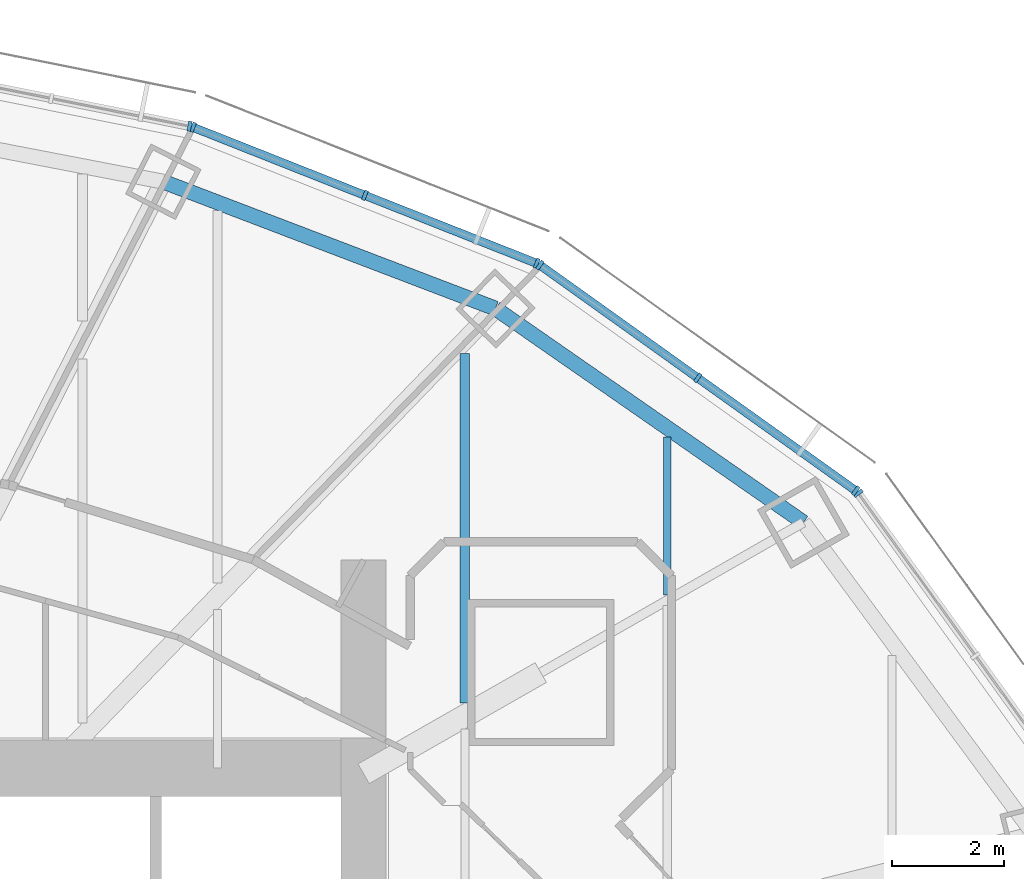
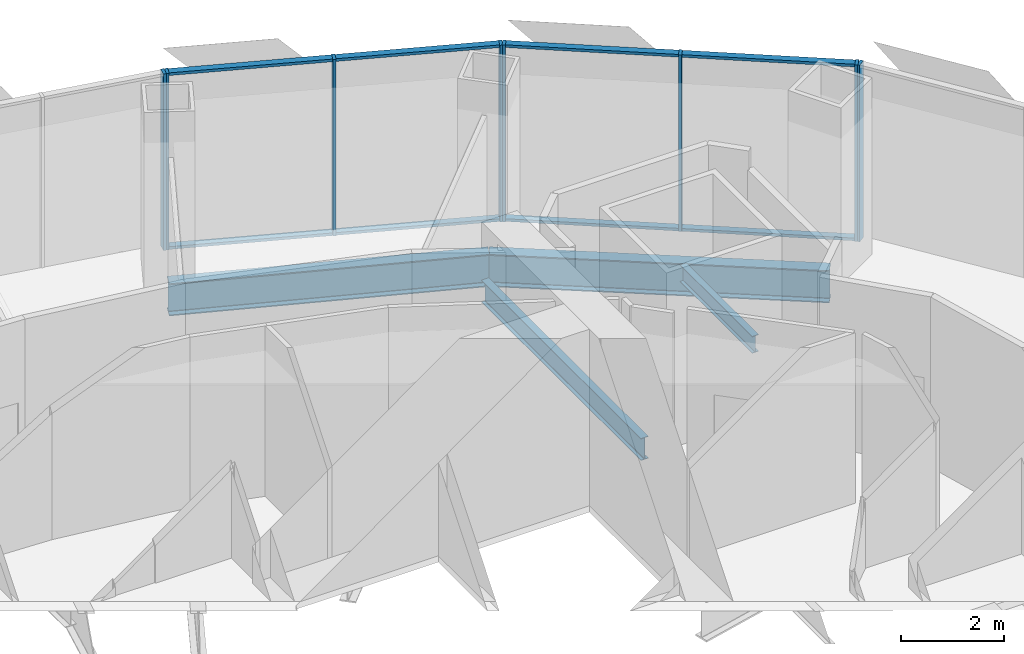
# One storey, part 9 of 19: 16 members, 4 beams, 4 elements without a shape of their own.
"""IFC4 building model written with IfcOpenShell, lengths in metres."""

from ifc_helpers import new_model, si_unit, direction, frame, origin, origin_2d, place, context, subcontext, project, spatial, rectangle, i_section, extrude, material, material_profile, profile_set, type_object, element, aggregate, save


model = new_model("IFC4")

# Units and contexts
model_context = context("Model", 3, precision=1e-05, world=origin(), true_north=direction((0.0, 1.0)))
body_context = subcontext(model_context, "Body", "Model", "MODEL_VIEW")
ifc_project = project(units=[si_unit("LENGTHUNIT", "METRE"), si_unit("AREAUNIT", "SQUARE_METRE"), si_unit("VOLUMEUNIT", "CUBIC_METRE"), si_unit("PLANEANGLEUNIT", "RADIAN"), si_unit("MASSUNIT", "GRAM", prefix="KILO")], contexts=[model_context])

# Site, building, storey
site_placement = place(None, origin())
site = spatial("IfcSite", under=ifc_project, at=site_placement, CompositionType="ELEMENT")
building_placement = place(site_placement, origin())
building = spatial("IfcBuilding", under=site, at=building_placement, Name="Lantaw Convention Tower", CompositionType="ELEMENT")
storey_placement = place(building_placement, frame((0.0, 0.0, 249.39990234375)))
storey = spatial("IfcBuildingStorey", under=building, at=storey_placement, Name="L58", CompositionType="ELEMENT", Elevation=249.39990234375)

# Beams
ifc_material_1 = material(Name="Steel ASTM A992", Category="steel")
ifc_material_profile_1 = material_profile(ifc_material_1, i_section(OverallWidth=0.2666015625, OverallDepth=0.76953125, WebThickness=0.015625, FlangeThickness=0.025390625, FilletRadius=0.0126953125, at=origin_2d()), Name="W30X132")
ifc_profile_set_1 = profile_set([ifc_material_profile_1], Name="Steel ASTM A992")
beam_type_1 = type_object("IfcBeamType", Name="Beam E W30X132", PredefinedType="SPANDREL", material=ifc_profile_set_1)
beam_1_placement = place(storey_placement, frame((20.423095703125, 11.67041015625, -0.53466796875), z_axis=(-0.82135329406, 0.570419815869, 0.0), x_axis=(-0.570419815869, -0.82135329406, 0.0)))
element("IfcBeam", 1, at=beam_1_placement, inside=storey, type_object=beam_type_1, Name="Edge beam 3", PredefinedType="SPANDREL", context=body_context, shape_type="SweptSolid", body=[
    extrude(i_section(OverallWidth=0.2666015625, OverallDepth=0.76953125, WebThickness=0.015625, FlangeThickness=0.025390625, FilletRadius=0.0126953125, at=origin_2d()), origin(), (0.0, 0.0, 1.0), 6.67041015625),
])
beam_2_placement = place(storey_placement, frame((14.9443359375, 15.475341796875, -0.53466796875), z_axis=(-0.934234988, 0.356658081637, 0.0), x_axis=(-0.356658081637, -0.934234988, 0.0)))
element("IfcBeam", 2, at=beam_2_placement, inside=storey, type_object=beam_type_1, Name="Edge beam 4", PredefinedType="SPANDREL", context=body_context, shape_type="SweptSolid", body=[
    extrude(i_section(OverallWidth=0.2666015625, OverallDepth=0.76953125, WebThickness=0.015625, FlangeThickness=0.025390625, FilletRadius=0.0126953125, at=origin_2d()), origin(), (0.0, 0.0, 1.0), 6.32568359375),
])
ifc_material_profile_2 = material_profile(ifc_material_1, i_section(OverallWidth=0.140380859375, OverallDepth=0.40380859375, WebThickness=0.007080078125, FlangeThickness=0.01123046875, FilletRadius=0.01025390625, at=origin_2d()), Name="W16X31")
ifc_profile_set_2 = profile_set([ifc_material_profile_2], Name="Steel ASTM A992")
beam_type_2 = type_object("IfcBeamType", Name="Beam J W16X31", PredefinedType="JOIST", material=ifc_profile_set_2)
beam_3_placement = place(storey_placement, frame((18.0, 10.380859375, -0.351806640625), z_axis=(0.0, 1.0, 0.0), x_axis=(-1.0, 0.0, 0.0)))
element("IfcBeam", 3, at=beam_3_placement, inside=storey, type_object=beam_type_2, Name="Floor joist", PredefinedType="JOIST", context=body_context, shape_type="SweptSolid", body=[
    extrude(i_section(OverallWidth=0.140380859375, OverallDepth=0.40380859375, WebThickness=0.007080078125, FlangeThickness=0.01123046875, FilletRadius=0.01025390625, at=origin_2d()), origin(), (0.0, 0.0, 1.0), 2.81005859375),
])
ifc_material_profile_3 = material_profile(ifc_material_1, i_section(OverallWidth=0.1650390625, OverallDepth=0.52587890625, WebThickness=0.0087890625, FlangeThickness=0.011474609375, FilletRadius=0.0126953125, at=origin_2d()), Name="W21X44")
ifc_profile_set_3 = profile_set([ifc_material_profile_3], Name="Steel ASTM A992")
beam_type_3 = type_object("IfcBeamType", Name="Beam J W21X44", PredefinedType="JOIST", material=ifc_profile_set_3)
beam_4_placement = place(storey_placement, frame((14.39990234375, 8.461181640625, -0.412841796875), z_axis=(0.0, 1.0, 0.0), x_axis=(-1.0, 0.0, 0.0)))
element("IfcBeam", 4, at=beam_4_placement, inside=storey, type_object=beam_type_3, Name="Floor joist", PredefinedType="JOIST", context=body_context, shape_type="SweptSolid", body=[
    extrude(i_section(OverallWidth=0.1650390625, OverallDepth=0.52587890625, WebThickness=0.0087890625, FlangeThickness=0.011474609375, FilletRadius=0.0126953125, at=origin_2d()), origin(), (0.0, 0.0, 1.0), 6.214599609375),
])

# Curtain wall, member
ifc_material_2 = material(Name="Aluminium framed curtain wall", Category="aluminium")
curtain_wall_type = type_object("IfcCurtainWallType", Name="Office curtain wall high rise, pale aluminium", PredefinedType="USERDEFINED", material=ifc_material_2)
curtain_wall_1_placement = place(storey_placement, origin())
curtain_wall_1 = element("IfcCurtainWall", 5, at=curtain_wall_1_placement, inside=storey, type_object=curtain_wall_type, Name="Office curtain wall high rise, pale aluminium L58", ObjectType="UNITISED CURTAIN WALL", PredefinedType="USERDEFINED")
ifc_material_3 = material(Name="Aluminium 6063-T6", Category="aluminium")
ifc_material_profile_4 = material_profile(ifc_material_3, rectangle(XDim=0.179931640625, YDim=0.06494140625, at=origin_2d()), Name="CW-O2 mullion 65x180")
ifc_profile_set_4 = profile_set([ifc_material_profile_4], Name="Aluminium 6063-T6")
member_type_1 = type_object("IfcMemberType", Name="CW-O2 mullion 65x180", PredefinedType="MULLION", material=ifc_profile_set_4)
member_1_placement = place(storey_placement, frame((21.397216796875, 12.189697265625, -0.14990234375), z_axis=(0.0, 0.0, 1.0), x_axis=(-0.810919559405, -0.585157643865, 0.0)))
member_1 = element("IfcMember", 6, at=member_1_placement, type_object=member_type_1, Name="CW-O2 mullion 3", PredefinedType="MULLION", context=body_context, shape_type="SweptSolid", body=[
    extrude(rectangle(XDim=0.179931640625, YDim=0.06494140625, at=origin_2d()), origin(), (0.0, 0.0, 1.0), 4.199951171875),
])
aggregate(curtain_wall_1, [member_1])

# Curtain wall, members
curtain_wall_2_placement = place(storey_placement, origin())
curtain_wall_2 = element("IfcCurtainWall", 7, at=curtain_wall_2_placement, inside=storey, type_object=curtain_wall_type, Name="Office curtain wall high rise, pale aluminium L58", ObjectType="UNITISED CURTAIN WALL", PredefinedType="USERDEFINED")
member_2_placement = place(storey_placement, frame((21.3515625, 12.23486328125, -0.14990234375), z_axis=(0.0, 0.0, 1.0), x_axis=(-0.581323487281, -0.813672540482, 0.0)))
member_2 = element("IfcMember", 8, at=member_2_placement, type_object=member_type_1, Name="CW-O2 mullion 1", PredefinedType="MULLION", context=body_context, shape_type="SweptSolid", body=[
    extrude(rectangle(XDim=0.179931640625, YDim=0.06494140625, at=origin_2d()), origin(), (0.0, 0.0, 1.0), 4.199951171875),
])
member_3_placement = place(storey_placement, frame((18.543212890625, 14.241455078125, -0.14990234375), z_axis=(0.0, 0.0, 1.0), x_axis=(-0.581323487281, -0.813672540482, 0.0)))
member_3 = element("IfcMember", 9, at=member_3_placement, type_object=member_type_1, Name="CW-O2 mullion 2", PredefinedType="MULLION", context=body_context, shape_type="SweptSolid", body=[
    extrude(rectangle(XDim=0.179931640625, YDim=0.06494140625, at=origin_2d()), origin(), (0.0, 0.0, 1.0), 4.199951171875),
])
member_4_placement = place(storey_placement, frame((15.73486328125, 16.247802734375, -0.14990234375), z_axis=(0.0, 0.0, 1.0), x_axis=(-0.581323487281, -0.813672540482, 0.0)))
member_4 = element("IfcMember", 10, at=member_4_placement, type_object=member_type_1, Name="CW-O2 mullion 3", PredefinedType="MULLION", context=body_context, shape_type="SweptSolid", body=[
    extrude(rectangle(XDim=0.179931640625, YDim=0.06494140625, at=origin_2d()), origin(), (0.0, 0.0, 1.0), 4.199951171875),
])

curtain_wall_3_placement = place(storey_placement, origin())
curtain_wall_3 = element("IfcCurtainWall", 11, at=curtain_wall_3_placement, inside=storey, type_object=curtain_wall_type, Name="Office curtain wall high rise, pale aluminium L58", ObjectType="UNITISED CURTAIN WALL", PredefinedType="USERDEFINED")
member_5_placement = place(storey_placement, frame((15.67822265625, 16.278564453125, -0.14990234375), z_axis=(0.0, 0.0, 1.0), x_axis=(-0.368162315252, -0.929761533743, 0.0)))
member_5 = element("IfcMember", 12, at=member_5_placement, type_object=member_type_1, Name="CW-O2 mullion 1", PredefinedType="MULLION", context=body_context, shape_type="SweptSolid", body=[
    extrude(rectangle(XDim=0.179931640625, YDim=0.06494140625, at=origin_2d()), origin(), (0.0, 0.0, 1.0), 4.199951171875),
])
member_6_placement = place(storey_placement, frame((12.621337890625, 17.4892578125, -0.14990234375), z_axis=(0.0, 0.0, 1.0), x_axis=(-0.368162315252, -0.929761533743, 0.0)))
member_6 = element("IfcMember", 13, at=member_6_placement, type_object=member_type_1, Name="CW-O2 mullion 2", PredefinedType="MULLION", context=body_context, shape_type="SweptSolid", body=[
    extrude(rectangle(XDim=0.179931640625, YDim=0.06494140625, at=origin_2d()), origin(), (0.0, 0.0, 1.0), 4.199951171875),
])
member_7_placement = place(storey_placement, frame((9.564208984375, 18.69970703125, -0.14990234375), z_axis=(0.0, 0.0, 1.0), x_axis=(-0.368162315252, -0.929761533743, 0.0)))
member_7 = element("IfcMember", 14, at=member_7_placement, type_object=member_type_1, Name="CW-O2 mullion 3", PredefinedType="MULLION", context=body_context, shape_type="SweptSolid", body=[
    extrude(rectangle(XDim=0.179931640625, YDim=0.06494140625, at=origin_2d()), origin(), (0.0, 0.0, 1.0), 4.199951171875),
])

# Curtain wall, member
curtain_wall_4_placement = place(storey_placement, origin())
curtain_wall_4 = element("IfcCurtainWall", 15, at=curtain_wall_4_placement, inside=storey, type_object=curtain_wall_type, Name="Office curtain wall high rise, pale aluminium L58", ObjectType="UNITISED CURTAIN WALL", PredefinedType="USERDEFINED")
member_8_placement = place(storey_placement, frame((9.502197265625, 18.718017578125, -0.14990234375), z_axis=(0.0, 0.0, 1.0), x_axis=(-0.197183095987, -0.980366679695, 0.0)))
member_8 = element("IfcMember", 16, at=member_8_placement, type_object=member_type_1, Name="CW-O2 mullion 1", PredefinedType="MULLION", context=body_context, shape_type="SweptSolid", body=[
    extrude(rectangle(XDim=0.179931640625, YDim=0.06494140625, at=origin_2d()), origin(), (0.0, 0.0, 1.0), 4.199951171875),
])
aggregate(curtain_wall_4, [member_8])

# Member
ifc_material_profile_5 = material_profile(ifc_material_3, rectangle(XDim=0.14990234375, YDim=0.06494140625, at=origin_2d()), Name="CW-O2 transom 65x150")
ifc_profile_set_5 = profile_set([ifc_material_profile_5], Name="Aluminium 6063-T6")
member_type_2 = type_object("IfcMemberType", Name="CW-O2 transom 65x150", PredefinedType="USERDEFINED", material=ifc_profile_set_5)
member_9_placement = place(storey_placement, frame((21.3251953125, 12.25390625, -0.117431640625), z_axis=(-0.813679882592, 0.581313210468, 0.0), x_axis=(-0.581313210468, -0.813679882592, 0.0)))
member_9 = element("IfcMember", 17, at=member_9_placement, type_object=member_type_2, Name="CW-O2 transom 1.1", ObjectType="TRANSOM", PredefinedType="USERDEFINED", context=body_context, shape_type="SweptSolid", body=[
    extrude(rectangle(XDim=0.14990234375, YDim=0.06494140625, at=origin_2d()), origin(), (0.0, 0.0, 1.0), 3.38623046875),
])

member_10_placement = place(storey_placement, frame((21.3251953125, 12.25390625, 4.017578125), z_axis=(-0.813679882592, 0.581313210468, 0.0), x_axis=(-0.581313210468, -0.813679882592, 0.0)))
member_10 = element("IfcMember", 18, at=member_10_placement, type_object=member_type_2, Name="CW-O2 transom 1.2", ObjectType="TRANSOM", PredefinedType="USERDEFINED", context=body_context, shape_type="SweptSolid", body=[
    extrude(rectangle(XDim=0.14990234375, YDim=0.06494140625, at=origin_2d()), origin(), (0.0, 0.0, 1.0), 3.38623046875),
])

member_11_placement = place(storey_placement, frame((18.516845703125, 14.26025390625, -0.117431640625), z_axis=(-0.813645780821, 0.581360940683, 0.0), x_axis=(-0.581360940683, -0.813645780821, 0.0)))
member_11 = element("IfcMember", 19, at=member_11_placement, type_object=member_type_2, Name="CW-O2 transom 2.1", ObjectType="TRANSOM", PredefinedType="USERDEFINED", context=body_context, shape_type="SweptSolid", body=[
    extrude(rectangle(XDim=0.14990234375, YDim=0.06494140625, at=origin_2d()), origin(), (0.0, 0.0, 1.0), 3.386474609375),
])

member_12_placement = place(storey_placement, frame((18.516845703125, 14.26025390625, 4.017578125), z_axis=(-0.813645780821, 0.581360940683, 0.0), x_axis=(-0.581360940683, -0.813645780821, 0.0)))
member_12 = element("IfcMember", 20, at=member_12_placement, type_object=member_type_2, Name="CW-O2 transom 2.2", ObjectType="TRANSOM", PredefinedType="USERDEFINED", context=body_context, shape_type="SweptSolid", body=[
    extrude(rectangle(XDim=0.14990234375, YDim=0.06494140625, at=origin_2d()), origin(), (0.0, 0.0, 1.0), 3.386474609375),
])

aggregate(curtain_wall_2, [member_2, member_3, member_4, member_9, member_10, member_11, member_12])

member_13_placement = place(storey_placement, frame((15.648193359375, 16.29052734375, -0.117431640625), z_axis=(-0.929740712354, 0.368214893495, 0.0), x_axis=(-0.368214893495, -0.929740712354, 0.0)))
member_13 = element("IfcMember", 21, at=member_13_placement, type_object=member_type_2, Name="CW-O2 transom 1.1", ObjectType="TRANSOM", PredefinedType="USERDEFINED", context=body_context, shape_type="SweptSolid", body=[
    extrude(rectangle(XDim=0.14990234375, YDim=0.06494140625, at=origin_2d()), origin(), (0.0, 0.0, 1.0), 3.22314453125),
])

member_14_placement = place(storey_placement, frame((15.648193359375, 16.29052734375, 4.017578125), z_axis=(-0.929740712354, 0.368214893495, 0.0), x_axis=(-0.368214893495, -0.929740712354, 0.0)))
member_14 = element("IfcMember", 22, at=member_14_placement, type_object=member_type_2, Name="CW-O2 transom 1.2", ObjectType="TRANSOM", PredefinedType="USERDEFINED", context=body_context, shape_type="SweptSolid", body=[
    extrude(rectangle(XDim=0.14990234375, YDim=0.06494140625, at=origin_2d()), origin(), (0.0, 0.0, 1.0), 3.22314453125),
])

member_15_placement = place(storey_placement, frame((12.591064453125, 17.501220703125, -0.117431640625), z_axis=(-0.929766642946, 0.368149412149, 0.0), x_axis=(-0.368149412149, -0.929766642946, 0.0)))
member_15 = element("IfcMember", 23, at=member_15_placement, type_object=member_type_2, Name="CW-O2 transom 2.1", ObjectType="TRANSOM", PredefinedType="USERDEFINED", context=body_context, shape_type="SweptSolid", body=[
    extrude(rectangle(XDim=0.14990234375, YDim=0.06494140625, at=origin_2d()), origin(), (0.0, 0.0, 1.0), 3.222900390625),
])

member_16_placement = place(storey_placement, frame((12.591064453125, 17.501220703125, 4.017578125), z_axis=(-0.929766642946, 0.368149412149, 0.0), x_axis=(-0.368149412149, -0.929766642946, 0.0)))
member_16 = element("IfcMember", 24, at=member_16_placement, type_object=member_type_2, Name="CW-O2 transom 2.2", ObjectType="TRANSOM", PredefinedType="USERDEFINED", context=body_context, shape_type="SweptSolid", body=[
    extrude(rectangle(XDim=0.14990234375, YDim=0.06494140625, at=origin_2d()), origin(), (0.0, 0.0, 1.0), 3.222900390625),
])

aggregate(curtain_wall_3, [member_5, member_6, member_7, member_13, member_14, member_15, member_16])

save(model, "model.ifc")
